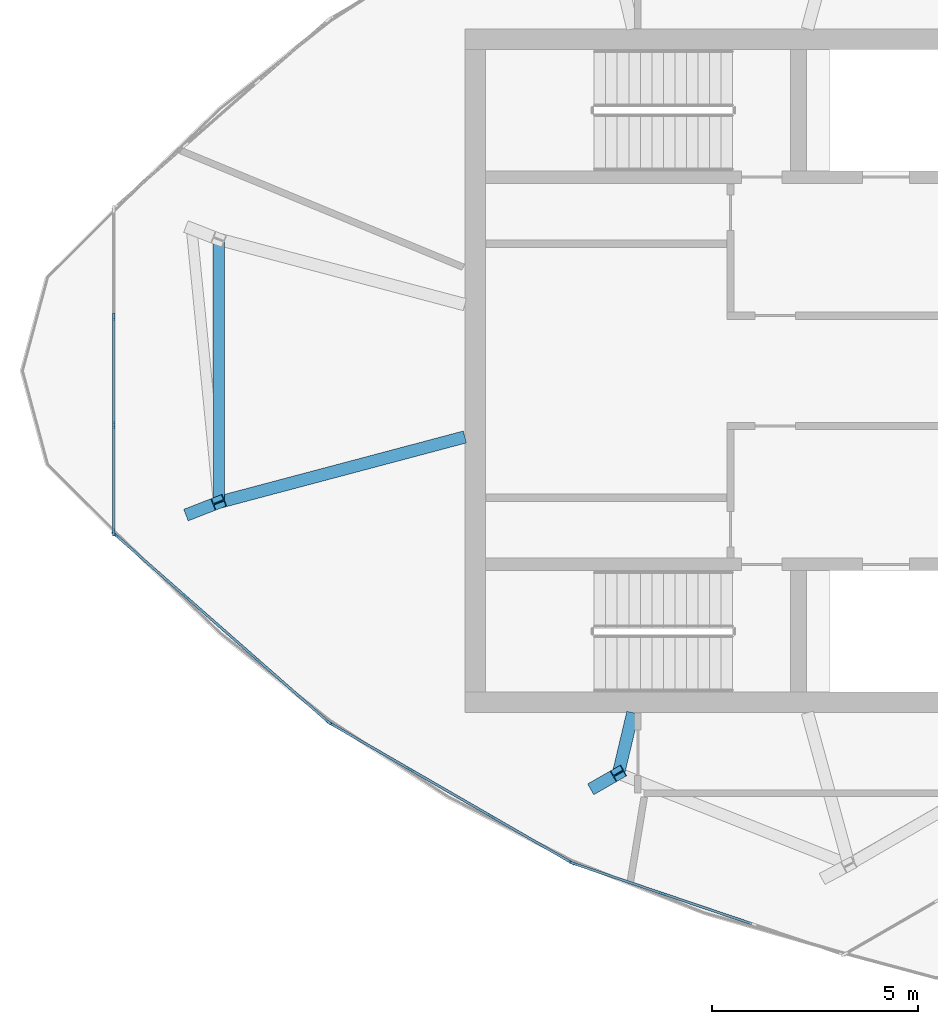
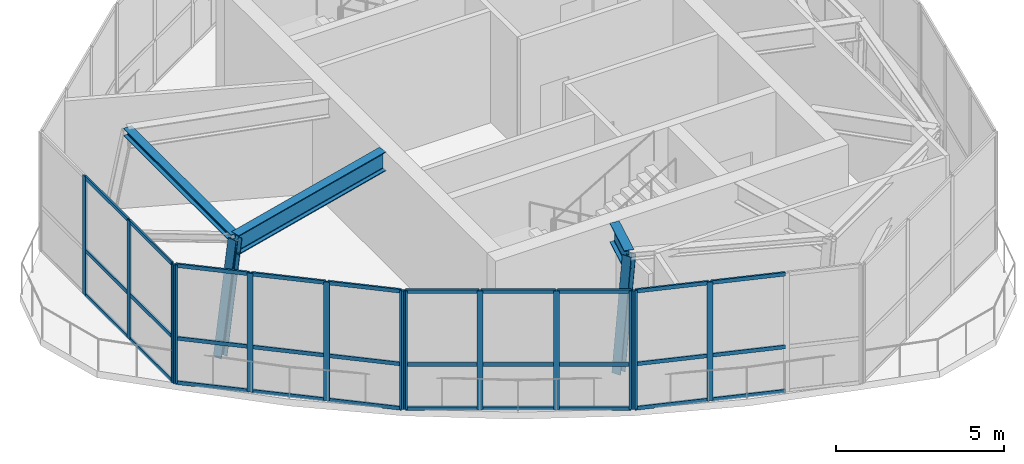
# One storey, part 1 of 9: 46 members, 2 beams, 4 elements without a shape of their own.
"""IFC4 building model written with IfcOpenShell, lengths in metres."""

from ifc_helpers import new_model, si_unit, direction, frame, origin, origin_2d, place, context, subcontext, project, spatial, rectangle, i_section, extrude, source, transform, mapped, material, layer, layer_set, material_profile, profile_set, type_object, element, aggregate, save


model = new_model("IFC4")

# Units and contexts
model_context = context("Model", 3, precision=1e-05, world=origin(), true_north=direction((0.0, 1.0)))
body_context = subcontext(model_context, "Body", "Model", "MODEL_VIEW")
ifc_project = project(units=[si_unit("LENGTHUNIT", "METRE"), si_unit("AREAUNIT", "SQUARE_METRE"), si_unit("VOLUMEUNIT", "CUBIC_METRE"), si_unit("PLANEANGLEUNIT", "RADIAN"), si_unit("MASSUNIT", "GRAM", prefix="KILO")], contexts=[model_context])

# Site, building, storey
site_placement = place(None, origin())
site = spatial("IfcSite", under=ifc_project, at=site_placement, CompositionType="ELEMENT")
building_placement = place(site_placement, origin())
building = spatial("IfcBuilding", under=site, at=building_placement, Name="Qafzar Sky-Pleat Residences", CompositionType="ELEMENT")
storey_placement = place(building_placement, frame((0.0, 0.0, 266.10009765625)))
storey = spatial("IfcBuildingStorey", under=building, at=storey_placement, Name="L79 Crown", CompositionType="ELEMENT", Elevation=266.10009765625)

# Members
ifc_material_1 = material(Name="Steel S460", Category="steel")
ifc_material_profile_1 = material_profile(ifc_material_1, i_section(OverallWidth=0.300048828125, OverallDepth=0.300048828125, WebThickness=0.010986328125, FlangeThickness=0.01904296875, FilletRadius=0.027099609375, at=origin_2d()), Name="HEB 300")
ifc_profile_set_1 = profile_set([ifc_material_profile_1], Name="Steel S460")
member_type_1 = type_object("IfcMemberType", Name="MEM-CROWN-RIB", PredefinedType="CHORD", material=ifc_profile_set_1)
shared_shape_1 = source(origin(), body_context, "Body", "SweptSolid", [
    extrude(i_section(OverallWidth=0.300048828125, OverallDepth=0.300048828125, WebThickness=0.010986328125, FlangeThickness=0.01904296875, FilletRadius=0.027099609375, at=origin_2d()), origin(), (0.0, 0.0, 1.0), 3.95947265625),
])
member_1_placement = place(storey_placement, frame((17.668212890625, 22.551025390625, 0.0), z_axis=(0.166113503649, 0.064743570464, 0.983978949973), x_axis=(-0.363147139713, 0.931731804179, 0.0)))
element("IfcMember", 1, at=member_1_placement, inside=storey, type_object=member_type_1, Name="L79 Crown CROWN FRAME Inclined Rib 2", PredefinedType="CHORD", context=body_context, shape_type="MappedRepresentation", body=[
    mapped(shared_shape_1, transform((0.0, 0.0, 0.0), x_axis=(1.0, 0.0, 0.0), y_axis=(0.0, 1.0, 0.0), z_axis=(0.0, 0.0, 1.0), scale=1.0)),
])
shared_shape_2 = source(origin(), body_context, "Body", "SweptSolid", [
    extrude(i_section(OverallWidth=0.300048828125, OverallDepth=0.300048828125, WebThickness=0.010986328125, FlangeThickness=0.01904296875, FilletRadius=0.027099609375, at=origin_2d()), origin(), (0.0, 0.0, 1.0), 3.9462890625),
])
member_2_placement = place(storey_placement, frame((27.484619140625, 15.91455078125, 0.0), z_axis=(0.138084491671, 0.079126373139, 0.987254622797), x_axis=(-0.497185157605, 0.867644465814, 0.0)))
element("IfcMember", 2, at=member_2_placement, inside=storey, type_object=member_type_1, Name="L79 Crown CROWN FRAME Inclined Rib 4", PredefinedType="CHORD", context=body_context, shape_type="MappedRepresentation", body=[
    mapped(shared_shape_2, transform((0.0, 0.0, 0.0), x_axis=(1.0, 0.0, 0.0), y_axis=(0.0, 1.0, 0.0), z_axis=(0.0, 0.0, 1.0), scale=1.0)),
])
ifc_material_2 = material(Name="Steel S355", Category="steel")
ifc_material_profile_2 = material_profile(ifc_material_2, i_section(OverallWidth=0.280029296875, OverallDepth=0.280029296875, WebThickness=0.010498046875, FlangeThickness=0.01806640625, FilletRadius=0.02392578125, at=origin_2d()), Name="HEB 280")
ifc_profile_set_2 = profile_set([ifc_material_profile_2], Name="Steel S355")
member_type_2 = type_object("IfcMemberType", Name="MEM-CROWN-RING", PredefinedType="PURLIN", material=ifc_profile_set_2)
shared_shape_3 = source(origin(), body_context, "Body", "SweptSolid", [
    extrude(i_section(OverallWidth=0.280029296875, OverallDepth=0.280029296875, WebThickness=0.010498046875, FlangeThickness=0.01806640625, FilletRadius=0.02392578125, at=origin_2d()), origin(), (0.0, 0.0, 1.0), 6.38525390625),
])
member_3_placement = place(storey_placement, frame((18.325927734375, 29.192626953125, 3.906005859375), z_axis=(0.0, -1.0, 0.0), x_axis=(1.0, 0.0, 0.0)))
element("IfcMember", 3, at=member_3_placement, inside=storey, type_object=member_type_2, Name="L79 Crown CROWN FRAME Ring Beam 1", PredefinedType="PURLIN", context=body_context, shape_type="MappedRepresentation", body=[
    mapped(shared_shape_3, transform((0.0, 0.0, 0.0), x_axis=(1.0, 0.0, 0.0), y_axis=(0.0, 1.0, 0.0), z_axis=(0.0, 0.0, 1.0), scale=1.0)),
])

# Beams
ifc_material_profile_3 = material_profile(ifc_material_1, i_section(OverallWidth=0.300048828125, OverallDepth=0.699951171875, WebThickness=0.01708984375, FlangeThickness=0.031982421875, FilletRadius=0.027099609375, at=origin_2d()), Name="HEB 700")
ifc_profile_set_3 = profile_set([ifc_material_profile_3], Name="Steel S460")
beam_type = type_object("IfcBeamType", Name="BM-CHORD-HEB700", PredefinedType="BEAM", material=ifc_profile_set_3)
shared_shape_4 = source(origin(), body_context, "Body", "SweptSolid", [
    extrude(i_section(OverallWidth=0.300048828125, OverallDepth=0.699951171875, WebThickness=0.01708984375, FlangeThickness=0.031982421875, FilletRadius=0.027099609375, at=origin_2d()), origin(), (0.0, 0.0, 1.0), 6.18115234375),
])
beam_1_placement = place(storey_placement, frame((18.325927734375, 22.807373046875, 3.697998046875), z_axis=(0.966512990427, 0.256617691002, 0.0), x_axis=(-0.256617691002, 0.966512990427, 0.0)))
element("IfcBeam", 4, at=beam_1_placement, inside=storey, type_object=beam_type, Name="L80 Crown Crown Rib Base Transfer Beam 2", PredefinedType="BEAM", context=body_context, shape_type="MappedRepresentation", body=[
    mapped(shared_shape_4, transform((0.0, 0.0, 0.0), x_axis=(1.0, 0.0, 0.0), y_axis=(0.0, 1.0, 0.0), z_axis=(0.0, 0.0, 1.0), scale=1.0)),
])
shared_shape_5 = source(origin(), body_context, "Body", "SweptSolid", [
    extrude(i_section(OverallWidth=0.300048828125, OverallDepth=0.699951171875, WebThickness=0.01708984375, FlangeThickness=0.031982421875, FilletRadius=0.027099609375, at=origin_2d()), origin(), (0.0, 0.0, 1.0), 1.51416015625),
])
beam_2_placement = place(storey_placement, frame((28.029541015625, 16.226806640625, 3.697998046875), z_axis=(0.231060983278, 0.972939269434, 0.0), x_axis=(-0.972939269434, 0.231060983278, 0.0)))
element("IfcBeam", 5, at=beam_2_placement, inside=storey, type_object=beam_type, Name="L80 Crown Crown Rib Base Transfer Beam 4", PredefinedType="BEAM", context=body_context, shape_type="MappedRepresentation", body=[
    mapped(shared_shape_5, transform((0.0, 0.0, 0.0), x_axis=(1.0, 0.0, 0.0), y_axis=(0.0, 1.0, 0.0), z_axis=(0.0, 0.0, 1.0), scale=1.0)),
])

# Curtain wall, members
ifc_material_3 = material(Name="Anodised bronze aluminium framing", Category="aluminium")
ifc_layer = layer(ifc_material_3, 0.179931640625)
ifc_layer_set = layer_set([ifc_layer], Name="Anodised bronze aluminium framing")
curtain_wall_type = type_object("IfcCurtainWallType", Name="CW-SYS-06", PredefinedType="NOTDEFINED", material=ifc_layer_set)
curtain_wall_1_placement = place(storey_placement, origin())
curtain_wall_1 = element("IfcCurtainWall", 6, at=curtain_wall_1_placement, inside=storey, type_object=curtain_wall_type, Name="L79 Crown CW-06 Curtain Wall CW-CROWN-04-01", PredefinedType="NOTDEFINED")
ifc_material_4 = material(Name="Anodised bronze aluminium", Category="aluminium")
ifc_material_profile_4 = material_profile(ifc_material_4, rectangle(XDim=0.06005859375, YDim=0.179931640625, at=origin_2d()), Name="ALU MULLION 60x180")
ifc_profile_set_4 = profile_set([ifc_material_profile_4], Name="Anodised bronze aluminium")
member_type_3 = type_object("IfcMemberType", Name="CWM-06", PredefinedType="MULLION", material=ifc_profile_set_4)
shared_shape_6 = source(origin(), body_context, "Body", "SweptSolid", [
    extrude(rectangle(XDim=0.06005859375, YDim=0.179931640625, at=origin_2d()), origin(), (0.0, 0.0, 1.0), 4.2998046875),
])
member_4_placement = place(storey_placement, frame((15.783935546875, 27.317138671875, 0.0), z_axis=(0.0, 0.0, 1.0), x_axis=(1.0, 0.0, 0.0)))
member_4 = element("IfcMember", 7, at=member_4_placement, type_object=member_type_3, Name="CW-06 mullion 2", PredefinedType="MULLION", context=body_context, shape_type="MappedRepresentation", body=[
    mapped(shared_shape_6, transform((0.0, 0.0, 0.0), x_axis=(1.0, 0.0, 0.0), y_axis=(0.0, 1.0, 0.0), z_axis=(0.0, 0.0, 1.0), scale=1.0)),
])
member_5_placement = place(storey_placement, frame((15.783935546875, 24.682861328125, 0.0), z_axis=(0.0, 0.0, 1.0), x_axis=(1.0, 0.0, 0.0)))
member_5 = element("IfcMember", 8, at=member_5_placement, type_object=member_type_3, Name="CW-06 mullion 3", PredefinedType="MULLION", context=body_context, shape_type="MappedRepresentation", body=[
    mapped(shared_shape_6, transform((0.0, 0.0, 0.0), x_axis=(1.0, 0.0, 0.0), y_axis=(0.0, 1.0, 0.0), z_axis=(0.0, 0.0, 1.0), scale=1.0)),
])
member_6_placement = place(storey_placement, frame((15.783935546875, 22.07861328125, 0.0), z_axis=(0.0, 0.0, 1.0), x_axis=(1.0, 0.0, 0.0)))
member_6 = element("IfcMember", 9, at=member_6_placement, type_object=member_type_3, Name="CW-06 mullion 4", PredefinedType="MULLION", context=body_context, shape_type="MappedRepresentation", body=[
    mapped(shared_shape_6, transform((0.0, 0.0, 0.0), x_axis=(1.0, 0.0, 0.0), y_axis=(0.0, 1.0, 0.0), z_axis=(0.0, 0.0, 1.0), scale=1.0)),
])

curtain_wall_2_placement = place(storey_placement, origin())
curtain_wall_2 = element("IfcCurtainWall", 10, at=curtain_wall_2_placement, inside=storey, type_object=curtain_wall_type, Name="L79 Crown CW-06 Curtain Wall CW-CROWN-04-02", PredefinedType="NOTDEFINED")
member_7_placement = place(storey_placement, frame((15.806640625, 22.02880859375, 0.0), z_axis=(0.0, 0.0, 1.0), x_axis=(0.660125430154, 0.751155387696, 0.0)))
member_7 = element("IfcMember", 11, at=member_7_placement, type_object=member_type_3, Name="CW-06 mullion 1", PredefinedType="MULLION", context=body_context, shape_type="MappedRepresentation", body=[
    mapped(shared_shape_6, transform((0.0, 0.0, 0.0), x_axis=(1.0, 0.0, 0.0), y_axis=(0.0, 1.0, 0.0), z_axis=(0.0, 0.0, 1.0), scale=1.0)),
])
member_8_placement = place(storey_placement, frame((17.524658203125, 20.51904296875, 0.0), z_axis=(0.0, 0.0, 1.0), x_axis=(0.660125430154, 0.751155387696, 0.0)))
member_8 = element("IfcMember", 12, at=member_8_placement, type_object=member_type_3, Name="CW-06 mullion 2", PredefinedType="MULLION", context=body_context, shape_type="MappedRepresentation", body=[
    mapped(shared_shape_6, transform((0.0, 0.0, 0.0), x_axis=(1.0, 0.0, 0.0), y_axis=(0.0, 1.0, 0.0), z_axis=(0.0, 0.0, 1.0), scale=1.0)),
])
member_9_placement = place(storey_placement, frame((19.26513671875, 18.9892578125, 0.0), z_axis=(0.0, 0.0, 1.0), x_axis=(0.660125430154, 0.751155387696, 0.0)))
member_9 = element("IfcMember", 13, at=member_9_placement, type_object=member_type_3, Name="CW-06 mullion 3", PredefinedType="MULLION", context=body_context, shape_type="MappedRepresentation", body=[
    mapped(shared_shape_6, transform((0.0, 0.0, 0.0), x_axis=(1.0, 0.0, 0.0), y_axis=(0.0, 1.0, 0.0), z_axis=(0.0, 0.0, 1.0), scale=1.0)),
])
member_10_placement = place(storey_placement, frame((20.983154296875, 17.4794921875, 0.0), z_axis=(0.0, 0.0, 1.0), x_axis=(0.660125430154, 0.751155387696, 0.0)))
member_10 = element("IfcMember", 14, at=member_10_placement, type_object=member_type_3, Name="CW-06 mullion 4", PredefinedType="MULLION", context=body_context, shape_type="MappedRepresentation", body=[
    mapped(shared_shape_6, transform((0.0, 0.0, 0.0), x_axis=(1.0, 0.0, 0.0), y_axis=(0.0, 1.0, 0.0), z_axis=(0.0, 0.0, 1.0), scale=1.0)),
])

curtain_wall_3_placement = place(storey_placement, origin())
curtain_wall_3 = element("IfcCurtainWall", 15, at=curtain_wall_3_placement, inside=storey, type_object=curtain_wall_type, Name="L79 Crown CW-06 Curtain Wall CW-CROWN-04-03", PredefinedType="NOTDEFINED")
member_11_placement = place(storey_placement, frame((21.03173828125, 17.444580078125, 0.0), z_axis=(0.0, 0.0, 1.0), x_axis=(0.500003097875, 0.866023615218, 0.0)))
member_11 = element("IfcMember", 16, at=member_11_placement, type_object=member_type_3, Name="CW-06 mullion 1", PredefinedType="MULLION", context=body_context, shape_type="MappedRepresentation", body=[
    mapped(shared_shape_6, transform((0.0, 0.0, 0.0), x_axis=(1.0, 0.0, 0.0), y_axis=(0.0, 1.0, 0.0), z_axis=(0.0, 0.0, 1.0), scale=1.0)),
])
member_12_placement = place(storey_placement, frame((22.973388671875, 16.323486328125, 0.0), z_axis=(0.0, 0.0, 1.0), x_axis=(0.500003097875, 0.866023615218, 0.0)))
member_12 = element("IfcMember", 17, at=member_12_placement, type_object=member_type_3, Name="CW-06 mullion 2", PredefinedType="MULLION", context=body_context, shape_type="MappedRepresentation", body=[
    mapped(shared_shape_6, transform((0.0, 0.0, 0.0), x_axis=(1.0, 0.0, 0.0), y_axis=(0.0, 1.0, 0.0), z_axis=(0.0, 0.0, 1.0), scale=1.0)),
])
member_13_placement = place(storey_placement, frame((24.941162109375, 15.1875, 0.0), z_axis=(0.0, 0.0, 1.0), x_axis=(0.500003097875, 0.866023615218, 0.0)))
member_13 = element("IfcMember", 18, at=member_13_placement, type_object=member_type_3, Name="CW-06 mullion 3", PredefinedType="MULLION", context=body_context, shape_type="MappedRepresentation", body=[
    mapped(shared_shape_6, transform((0.0, 0.0, 0.0), x_axis=(1.0, 0.0, 0.0), y_axis=(0.0, 1.0, 0.0), z_axis=(0.0, 0.0, 1.0), scale=1.0)),
])
member_14_placement = place(storey_placement, frame((26.883056640625, 14.06640625, 0.0), z_axis=(0.0, 0.0, 1.0), x_axis=(0.500003097875, 0.866023615218, 0.0)))
member_14 = element("IfcMember", 19, at=member_14_placement, type_object=member_type_3, Name="CW-06 mullion 4", PredefinedType="MULLION", context=body_context, shape_type="MappedRepresentation", body=[
    mapped(shared_shape_6, transform((0.0, 0.0, 0.0), x_axis=(1.0, 0.0, 0.0), y_axis=(0.0, 1.0, 0.0), z_axis=(0.0, 0.0, 1.0), scale=1.0)),
])

curtain_wall_4_placement = place(storey_placement, origin())
curtain_wall_4 = element("IfcCurtainWall", 20, at=curtain_wall_4_placement, inside=storey, type_object=curtain_wall_type, Name="L79 Crown CW-06 Curtain Wall CW-CROWN-04-04", PredefinedType="NOTDEFINED")
member_15_placement = place(storey_placement, frame((26.9375, 14.041748046875, 0.0), z_axis=(0.0, 0.0, 1.0), x_axis=(0.320445261328, 0.947267034417, 0.0)))
member_15 = element("IfcMember", 21, at=member_15_placement, type_object=member_type_3, Name="CW-06 mullion 1", PredefinedType="MULLION", context=body_context, shape_type="MappedRepresentation", body=[
    mapped(shared_shape_6, transform((0.0, 0.0, 0.0), x_axis=(1.0, 0.0, 0.0), y_axis=(0.0, 1.0, 0.0), z_axis=(0.0, 0.0, 1.0), scale=1.0)),
])
member_16_placement = place(storey_placement, frame((29.10400390625, 13.308837890625, 0.0), z_axis=(0.0, 0.0, 1.0), x_axis=(0.320445261328, 0.947267034417, 0.0)))
member_16 = element("IfcMember", 22, at=member_16_placement, type_object=member_type_3, Name="CW-06 mullion 2", PredefinedType="MULLION", context=body_context, shape_type="MappedRepresentation", body=[
    mapped(shared_shape_6, transform((0.0, 0.0, 0.0), x_axis=(1.0, 0.0, 0.0), y_axis=(0.0, 1.0, 0.0), z_axis=(0.0, 0.0, 1.0), scale=1.0)),
])

# Member
ifc_material_profile_5 = material_profile(ifc_material_4, rectangle(XDim=0.06005859375, YDim=0.135009765625, at=origin_2d()), Name="ALU TRANSOM 60x135")
ifc_profile_set_5 = profile_set([ifc_material_profile_5], Name="Anodised bronze aluminium")
member_type_4 = type_object("IfcMemberType", Name="CWT-06", PredefinedType="USERDEFINED", material=ifc_profile_set_5)
shared_shape_7 = source(origin(), body_context, "Body", "SweptSolid", [
    extrude(rectangle(XDim=0.06005859375, YDim=0.135009765625, at=origin_2d()), origin(), (0.0, 0.0, 1.0), 2.544189453125),
])
member_17_placement = place(storey_placement, frame((15.783935546875, 24.65283203125, 0.02978515625), z_axis=(0.0, -1.0, 0.0), x_axis=(1.0, 0.0, 0.0)))
member_17 = element("IfcMember", 23, at=member_17_placement, type_object=member_type_4, Name="CW-06 transom 3.1", ObjectType="TRANSOM", PredefinedType="USERDEFINED", context=body_context, shape_type="MappedRepresentation", body=[
    mapped(shared_shape_7, transform((0.0, 0.0, 0.0), x_axis=(1.0, 0.0, 0.0), y_axis=(0.0, 1.0, 0.0), z_axis=(0.0, 0.0, 1.0), scale=1.0)),
])

member_18_placement = place(storey_placement, frame((15.783935546875, 24.65283203125, 1.6337890625), z_axis=(0.0, -1.0, 0.0), x_axis=(1.0, 0.0, 0.0)))
member_18 = element("IfcMember", 24, at=member_18_placement, type_object=member_type_4, Name="CW-06 transom 3.2", ObjectType="TRANSOM", PredefinedType="USERDEFINED", context=body_context, shape_type="MappedRepresentation", body=[
    mapped(shared_shape_7, transform((0.0, 0.0, 0.0), x_axis=(1.0, 0.0, 0.0), y_axis=(0.0, 1.0, 0.0), z_axis=(0.0, 0.0, 1.0), scale=1.0)),
])

member_19_placement = place(storey_placement, frame((15.783935546875, 24.65283203125, 4.27001953125), z_axis=(0.0, -1.0, 0.0), x_axis=(1.0, 0.0, 0.0)))
member_19 = element("IfcMember", 25, at=member_19_placement, type_object=member_type_4, Name="CW-06 transom 3.3", ObjectType="TRANSOM", PredefinedType="USERDEFINED", context=body_context, shape_type="MappedRepresentation", body=[
    mapped(shared_shape_7, transform((0.0, 0.0, 0.0), x_axis=(1.0, 0.0, 0.0), y_axis=(0.0, 1.0, 0.0), z_axis=(0.0, 0.0, 1.0), scale=1.0)),
])

shared_shape_8 = source(origin(), body_context, "Body", "SweptSolid", [
    extrude(rectangle(XDim=0.06005859375, YDim=0.135009765625, at=origin_2d()), origin(), (0.0, 0.0, 1.0), 2.57421875),
])
member_20_placement = place(storey_placement, frame((15.783935546875, 27.287109375, 0.02978515625), z_axis=(0.0, -1.0, 0.0), x_axis=(1.0, 0.0, 0.0)))
member_20 = element("IfcMember", 26, at=member_20_placement, type_object=member_type_4, Name="CW-06 transom 2.1", ObjectType="TRANSOM", PredefinedType="USERDEFINED", context=body_context, shape_type="MappedRepresentation", body=[
    mapped(shared_shape_8, transform((0.0, 0.0, 0.0), x_axis=(1.0, 0.0, 0.0), y_axis=(0.0, 1.0, 0.0), z_axis=(0.0, 0.0, 1.0), scale=1.0)),
])

member_21_placement = place(storey_placement, frame((15.783935546875, 27.287109375, 1.6337890625), z_axis=(0.0, -1.0, 0.0), x_axis=(1.0, 0.0, 0.0)))
member_21 = element("IfcMember", 27, at=member_21_placement, type_object=member_type_4, Name="CW-06 transom 2.2", ObjectType="TRANSOM", PredefinedType="USERDEFINED", context=body_context, shape_type="MappedRepresentation", body=[
    mapped(shared_shape_8, transform((0.0, 0.0, 0.0), x_axis=(1.0, 0.0, 0.0), y_axis=(0.0, 1.0, 0.0), z_axis=(0.0, 0.0, 1.0), scale=1.0)),
])

member_22_placement = place(storey_placement, frame((15.783935546875, 27.287109375, 4.27001953125), z_axis=(0.0, -1.0, 0.0), x_axis=(1.0, 0.0, 0.0)))
member_22 = element("IfcMember", 28, at=member_22_placement, type_object=member_type_4, Name="CW-06 transom 2.3", ObjectType="TRANSOM", PredefinedType="USERDEFINED", context=body_context, shape_type="MappedRepresentation", body=[
    mapped(shared_shape_8, transform((0.0, 0.0, 0.0), x_axis=(1.0, 0.0, 0.0), y_axis=(0.0, 1.0, 0.0), z_axis=(0.0, 0.0, 1.0), scale=1.0)),
])

aggregate(curtain_wall_1, [member_4, member_5, member_6, member_20, member_21, member_22, member_17, member_18, member_19])

shared_shape_9 = source(origin(), body_context, "Body", "SweptSolid", [
    extrude(rectangle(XDim=0.06005859375, YDim=0.135009765625, at=origin_2d()), origin(), (0.0, 0.0, 1.0), 2.22705078125),
])
member_23_placement = place(storey_placement, frame((15.8291015625, 22.009033203125, 0.02978515625), z_axis=(0.751135248424, -0.660148345886, 0.0), x_axis=(0.660148345886, 0.751135248424, 0.0)))
member_23 = element("IfcMember", 29, at=member_23_placement, type_object=member_type_4, Name="CW-06 transom 1.1", ObjectType="TRANSOM", PredefinedType="USERDEFINED", context=body_context, shape_type="MappedRepresentation", body=[
    mapped(shared_shape_9, transform((0.0, 0.0, 0.0), x_axis=(1.0, 0.0, 0.0), y_axis=(0.0, 1.0, 0.0), z_axis=(0.0, 0.0, 1.0), scale=1.0)),
])

member_24_placement = place(storey_placement, frame((15.8291015625, 22.009033203125, 1.6337890625), z_axis=(0.751135248424, -0.660148345886, 0.0), x_axis=(0.660148345886, 0.751135248424, 0.0)))
member_24 = element("IfcMember", 30, at=member_24_placement, type_object=member_type_4, Name="CW-06 transom 1.2", ObjectType="TRANSOM", PredefinedType="USERDEFINED", context=body_context, shape_type="MappedRepresentation", body=[
    mapped(shared_shape_9, transform((0.0, 0.0, 0.0), x_axis=(1.0, 0.0, 0.0), y_axis=(0.0, 1.0, 0.0), z_axis=(0.0, 0.0, 1.0), scale=1.0)),
])

member_25_placement = place(storey_placement, frame((15.8291015625, 22.009033203125, 4.27001953125), z_axis=(0.751135248424, -0.660148345886, 0.0), x_axis=(0.660148345886, 0.751135248424, 0.0)))
member_25 = element("IfcMember", 31, at=member_25_placement, type_object=member_type_4, Name="CW-06 transom 1.3", ObjectType="TRANSOM", PredefinedType="USERDEFINED", context=body_context, shape_type="MappedRepresentation", body=[
    mapped(shared_shape_9, transform((0.0, 0.0, 0.0), x_axis=(1.0, 0.0, 0.0), y_axis=(0.0, 1.0, 0.0), z_axis=(0.0, 0.0, 1.0), scale=1.0)),
])

shared_shape_10 = source(origin(), body_context, "Body", "SweptSolid", [
    extrude(rectangle(XDim=0.06005859375, YDim=0.135009765625, at=origin_2d()), origin(), (0.0, 0.0, 1.0), 2.25732421875),
])
member_26_placement = place(storey_placement, frame((17.547119140625, 20.499267578125, 0.02978515625), z_axis=(0.751121019266, -0.660164535867, 0.0), x_axis=(0.660164535867, 0.751121019266, 0.0)))
member_26 = element("IfcMember", 32, at=member_26_placement, type_object=member_type_4, Name="CW-06 transom 2.1", ObjectType="TRANSOM", PredefinedType="USERDEFINED", context=body_context, shape_type="MappedRepresentation", body=[
    mapped(shared_shape_10, transform((0.0, 0.0, 0.0), x_axis=(1.0, 0.0, 0.0), y_axis=(0.0, 1.0, 0.0), z_axis=(0.0, 0.0, 1.0), scale=1.0)),
])

member_27_placement = place(storey_placement, frame((17.547119140625, 20.499267578125, 1.6337890625), z_axis=(0.751121019266, -0.660164535867, 0.0), x_axis=(0.660164535867, 0.751121019266, 0.0)))
member_27 = element("IfcMember", 33, at=member_27_placement, type_object=member_type_4, Name="CW-06 transom 2.2", ObjectType="TRANSOM", PredefinedType="USERDEFINED", context=body_context, shape_type="MappedRepresentation", body=[
    mapped(shared_shape_10, transform((0.0, 0.0, 0.0), x_axis=(1.0, 0.0, 0.0), y_axis=(0.0, 1.0, 0.0), z_axis=(0.0, 0.0, 1.0), scale=1.0)),
])

member_28_placement = place(storey_placement, frame((17.547119140625, 20.499267578125, 4.27001953125), z_axis=(0.751121019266, -0.660164535867, 0.0), x_axis=(0.660164535867, 0.751121019266, 0.0)))
member_28 = element("IfcMember", 34, at=member_28_placement, type_object=member_type_4, Name="CW-06 transom 2.3", ObjectType="TRANSOM", PredefinedType="USERDEFINED", context=body_context, shape_type="MappedRepresentation", body=[
    mapped(shared_shape_10, transform((0.0, 0.0, 0.0), x_axis=(1.0, 0.0, 0.0), y_axis=(0.0, 1.0, 0.0), z_axis=(0.0, 0.0, 1.0), scale=1.0)),
])

member_29_placement = place(storey_placement, frame((29.13232421875, 13.29931640625, 0.02978515625), z_axis=(0.947256891862, -0.320475242132, 0.0), x_axis=(0.320475242132, 0.947256891862, 0.0)))
member_29 = element("IfcMember", 35, at=member_29_placement, type_object=member_type_4, Name="CW-06 transom 2.1", ObjectType="TRANSOM", PredefinedType="USERDEFINED", context=body_context, shape_type="MappedRepresentation", body=[
    mapped(shared_shape_10, transform((0.0, 0.0, 0.0), x_axis=(1.0, 0.0, 0.0), y_axis=(0.0, 1.0, 0.0), z_axis=(0.0, 0.0, 1.0), scale=1.0)),
])

member_30_placement = place(storey_placement, frame((29.13232421875, 13.29931640625, 1.6337890625), z_axis=(0.947256891862, -0.320475242132, 0.0), x_axis=(0.320475242132, 0.947256891862, 0.0)))
member_30 = element("IfcMember", 36, at=member_30_placement, type_object=member_type_4, Name="CW-06 transom 2.2", ObjectType="TRANSOM", PredefinedType="USERDEFINED", context=body_context, shape_type="MappedRepresentation", body=[
    mapped(shared_shape_10, transform((0.0, 0.0, 0.0), x_axis=(1.0, 0.0, 0.0), y_axis=(0.0, 1.0, 0.0), z_axis=(0.0, 0.0, 1.0), scale=1.0)),
])

member_31_placement = place(storey_placement, frame((29.13232421875, 13.29931640625, 4.27001953125), z_axis=(0.947256891862, -0.320475242132, 0.0), x_axis=(0.320475242132, 0.947256891862, 0.0)))
member_31 = element("IfcMember", 37, at=member_31_placement, type_object=member_type_4, Name="CW-06 transom 2.3", ObjectType="TRANSOM", PredefinedType="USERDEFINED", context=body_context, shape_type="MappedRepresentation", body=[
    mapped(shared_shape_10, transform((0.0, 0.0, 0.0), x_axis=(1.0, 0.0, 0.0), y_axis=(0.0, 1.0, 0.0), z_axis=(0.0, 0.0, 1.0), scale=1.0)),
])

shared_shape_11 = source(origin(), body_context, "Body", "SweptSolid", [
    extrude(rectangle(XDim=0.06005859375, YDim=0.135009765625, at=origin_2d()), origin(), (0.0, 0.0, 1.0), 2.227294921875),
])
member_32_placement = place(storey_placement, frame((19.28759765625, 18.969482421875, 0.02978515625), z_axis=(0.751183015672, -0.660093991008, 0.0), x_axis=(0.660093991008, 0.751183015672, 0.0)))
member_32 = element("IfcMember", 38, at=member_32_placement, type_object=member_type_4, Name="CW-06 transom 3.1", ObjectType="TRANSOM", PredefinedType="USERDEFINED", context=body_context, shape_type="MappedRepresentation", body=[
    mapped(shared_shape_11, transform((0.0, 0.0, 0.0), x_axis=(1.0, 0.0, 0.0), y_axis=(0.0, 1.0, 0.0), z_axis=(0.0, 0.0, 1.0), scale=1.0)),
])

member_33_placement = place(storey_placement, frame((19.28759765625, 18.969482421875, 1.6337890625), z_axis=(0.751183015672, -0.660093991008, 0.0), x_axis=(0.660093991008, 0.751183015672, 0.0)))
member_33 = element("IfcMember", 39, at=member_33_placement, type_object=member_type_4, Name="CW-06 transom 3.2", ObjectType="TRANSOM", PredefinedType="USERDEFINED", context=body_context, shape_type="MappedRepresentation", body=[
    mapped(shared_shape_11, transform((0.0, 0.0, 0.0), x_axis=(1.0, 0.0, 0.0), y_axis=(0.0, 1.0, 0.0), z_axis=(0.0, 0.0, 1.0), scale=1.0)),
])

member_34_placement = place(storey_placement, frame((19.28759765625, 18.969482421875, 4.27001953125), z_axis=(0.751183015672, -0.660093991008, 0.0), x_axis=(0.660093991008, 0.751183015672, 0.0)))
member_34 = element("IfcMember", 40, at=member_34_placement, type_object=member_type_4, Name="CW-06 transom 3.3", ObjectType="TRANSOM", PredefinedType="USERDEFINED", context=body_context, shape_type="MappedRepresentation", body=[
    mapped(shared_shape_11, transform((0.0, 0.0, 0.0), x_axis=(1.0, 0.0, 0.0), y_axis=(0.0, 1.0, 0.0), z_axis=(0.0, 0.0, 1.0), scale=1.0)),
])

aggregate(curtain_wall_2, [member_7, member_8, member_9, member_10, member_23, member_24, member_25, member_26, member_27, member_28, member_32, member_33, member_34])

member_35_placement = place(storey_placement, frame((26.9658203125, 14.0322265625, 0.02978515625), z_axis=(0.947248738192, -0.320499341642, 0.0), x_axis=(0.320499341642, 0.947248738192, 0.0)))
member_35 = element("IfcMember", 41, at=member_35_placement, type_object=member_type_4, Name="CW-06 transom 1.1", ObjectType="TRANSOM", PredefinedType="USERDEFINED", context=body_context, shape_type="MappedRepresentation", body=[
    mapped(shared_shape_11, transform((0.0, 0.0, 0.0), x_axis=(1.0, 0.0, 0.0), y_axis=(0.0, 1.0, 0.0), z_axis=(0.0, 0.0, 1.0), scale=1.0)),
])

member_36_placement = place(storey_placement, frame((26.9658203125, 14.0322265625, 1.6337890625), z_axis=(0.947248738192, -0.320499341642, 0.0), x_axis=(0.320499341642, 0.947248738192, 0.0)))
member_36 = element("IfcMember", 42, at=member_36_placement, type_object=member_type_4, Name="CW-06 transom 1.2", ObjectType="TRANSOM", PredefinedType="USERDEFINED", context=body_context, shape_type="MappedRepresentation", body=[
    mapped(shared_shape_11, transform((0.0, 0.0, 0.0), x_axis=(1.0, 0.0, 0.0), y_axis=(0.0, 1.0, 0.0), z_axis=(0.0, 0.0, 1.0), scale=1.0)),
])

member_37_placement = place(storey_placement, frame((26.9658203125, 14.0322265625, 4.27001953125), z_axis=(0.947248738192, -0.320499341642, 0.0), x_axis=(0.320499341642, 0.947248738192, 0.0)))
member_37 = element("IfcMember", 43, at=member_37_placement, type_object=member_type_4, Name="CW-06 transom 1.3", ObjectType="TRANSOM", PredefinedType="USERDEFINED", context=body_context, shape_type="MappedRepresentation", body=[
    mapped(shared_shape_11, transform((0.0, 0.0, 0.0), x_axis=(1.0, 0.0, 0.0), y_axis=(0.0, 1.0, 0.0), z_axis=(0.0, 0.0, 1.0), scale=1.0)),
])

aggregate(curtain_wall_4, [member_15, member_16, member_35, member_36, member_37, member_29, member_30, member_31])

shared_shape_12 = source(origin(), body_context, "Body", "SweptSolid", [
    extrude(rectangle(XDim=0.06005859375, YDim=0.135009765625, at=origin_2d()), origin(), (0.0, 0.0, 1.0), 2.18212890625),
])
member_38_placement = place(storey_placement, frame((21.0576171875, 17.4296875, 0.02978515625), z_axis=(0.86603840752, -0.499977476193, 0.0), x_axis=(0.499977476193, 0.86603840752, 0.0)))
member_38 = element("IfcMember", 44, at=member_38_placement, type_object=member_type_4, Name="CW-06 transom 1.1", ObjectType="TRANSOM", PredefinedType="USERDEFINED", context=body_context, shape_type="MappedRepresentation", body=[
    mapped(shared_shape_12, transform((0.0, 0.0, 0.0), x_axis=(1.0, 0.0, 0.0), y_axis=(0.0, 1.0, 0.0), z_axis=(0.0, 0.0, 1.0), scale=1.0)),
])

member_39_placement = place(storey_placement, frame((21.0576171875, 17.4296875, 1.6337890625), z_axis=(0.86603840752, -0.499977476193, 0.0), x_axis=(0.499977476193, 0.86603840752, 0.0)))
member_39 = element("IfcMember", 45, at=member_39_placement, type_object=member_type_4, Name="CW-06 transom 1.2", ObjectType="TRANSOM", PredefinedType="USERDEFINED", context=body_context, shape_type="MappedRepresentation", body=[
    mapped(shared_shape_12, transform((0.0, 0.0, 0.0), x_axis=(1.0, 0.0, 0.0), y_axis=(0.0, 1.0, 0.0), z_axis=(0.0, 0.0, 1.0), scale=1.0)),
])

member_40_placement = place(storey_placement, frame((21.0576171875, 17.4296875, 4.27001953125), z_axis=(0.86603840752, -0.499977476193, 0.0), x_axis=(0.499977476193, 0.86603840752, 0.0)))
member_40 = element("IfcMember", 46, at=member_40_placement, type_object=member_type_4, Name="CW-06 transom 1.3", ObjectType="TRANSOM", PredefinedType="USERDEFINED", context=body_context, shape_type="MappedRepresentation", body=[
    mapped(shared_shape_12, transform((0.0, 0.0, 0.0), x_axis=(1.0, 0.0, 0.0), y_axis=(0.0, 1.0, 0.0), z_axis=(0.0, 0.0, 1.0), scale=1.0)),
])

member_41_placement = place(storey_placement, frame((24.96728515625, 15.172607421875, 0.02978515625), z_axis=(0.865961984968, -0.500109828528, 0.0), x_axis=(0.500109828528, 0.865961984968, 0.0)))
member_41 = element("IfcMember", 47, at=member_41_placement, type_object=member_type_4, Name="CW-06 transom 3.1", ObjectType="TRANSOM", PredefinedType="USERDEFINED", context=body_context, shape_type="MappedRepresentation", body=[
    mapped(shared_shape_12, transform((0.0, 0.0, 0.0), x_axis=(1.0, 0.0, 0.0), y_axis=(0.0, 1.0, 0.0), z_axis=(0.0, 0.0, 1.0), scale=1.0)),
])

member_42_placement = place(storey_placement, frame((24.96728515625, 15.172607421875, 1.6337890625), z_axis=(0.865961984968, -0.500109828528, 0.0), x_axis=(0.500109828528, 0.865961984968, 0.0)))
member_42 = element("IfcMember", 48, at=member_42_placement, type_object=member_type_4, Name="CW-06 transom 3.2", ObjectType="TRANSOM", PredefinedType="USERDEFINED", context=body_context, shape_type="MappedRepresentation", body=[
    mapped(shared_shape_12, transform((0.0, 0.0, 0.0), x_axis=(1.0, 0.0, 0.0), y_axis=(0.0, 1.0, 0.0), z_axis=(0.0, 0.0, 1.0), scale=1.0)),
])

member_43_placement = place(storey_placement, frame((24.96728515625, 15.172607421875, 4.27001953125), z_axis=(0.865961984968, -0.500109828528, 0.0), x_axis=(0.500109828528, 0.865961984968, 0.0)))
member_43 = element("IfcMember", 49, at=member_43_placement, type_object=member_type_4, Name="CW-06 transom 3.3", ObjectType="TRANSOM", PredefinedType="USERDEFINED", context=body_context, shape_type="MappedRepresentation", body=[
    mapped(shared_shape_12, transform((0.0, 0.0, 0.0), x_axis=(1.0, 0.0, 0.0), y_axis=(0.0, 1.0, 0.0), z_axis=(0.0, 0.0, 1.0), scale=1.0)),
])

shared_shape_13 = source(origin(), body_context, "Body", "SweptSolid", [
    extrude(rectangle(XDim=0.06005859375, YDim=0.135009765625, at=origin_2d()), origin(), (0.0, 0.0, 1.0), 2.212158203125),
])
member_44_placement = place(storey_placement, frame((22.99951171875, 16.30859375, 0.02978515625), z_axis=(0.865999958766, -0.500044069475, 0.0), x_axis=(0.500044069475, 0.865999958766, 0.0)))
member_44 = element("IfcMember", 50, at=member_44_placement, type_object=member_type_4, Name="CW-06 transom 2.1", ObjectType="TRANSOM", PredefinedType="USERDEFINED", context=body_context, shape_type="MappedRepresentation", body=[
    mapped(shared_shape_13, transform((0.0, 0.0, 0.0), x_axis=(1.0, 0.0, 0.0), y_axis=(0.0, 1.0, 0.0), z_axis=(0.0, 0.0, 1.0), scale=1.0)),
])

member_45_placement = place(storey_placement, frame((22.99951171875, 16.30859375, 1.6337890625), z_axis=(0.865999958766, -0.500044069475, 0.0), x_axis=(0.500044069475, 0.865999958766, 0.0)))
member_45 = element("IfcMember", 51, at=member_45_placement, type_object=member_type_4, Name="CW-06 transom 2.2", ObjectType="TRANSOM", PredefinedType="USERDEFINED", context=body_context, shape_type="MappedRepresentation", body=[
    mapped(shared_shape_13, transform((0.0, 0.0, 0.0), x_axis=(1.0, 0.0, 0.0), y_axis=(0.0, 1.0, 0.0), z_axis=(0.0, 0.0, 1.0), scale=1.0)),
])

member_46_placement = place(storey_placement, frame((22.99951171875, 16.30859375, 4.27001953125), z_axis=(0.865999958766, -0.500044069475, 0.0), x_axis=(0.500044069475, 0.865999958766, 0.0)))
member_46 = element("IfcMember", 52, at=member_46_placement, type_object=member_type_4, Name="CW-06 transom 2.3", ObjectType="TRANSOM", PredefinedType="USERDEFINED", context=body_context, shape_type="MappedRepresentation", body=[
    mapped(shared_shape_13, transform((0.0, 0.0, 0.0), x_axis=(1.0, 0.0, 0.0), y_axis=(0.0, 1.0, 0.0), z_axis=(0.0, 0.0, 1.0), scale=1.0)),
])

aggregate(curtain_wall_3, [member_11, member_12, member_13, member_14, member_38, member_39, member_40, member_44, member_45, member_46, member_41, member_42, member_43])

save(model, "model.ifc")
